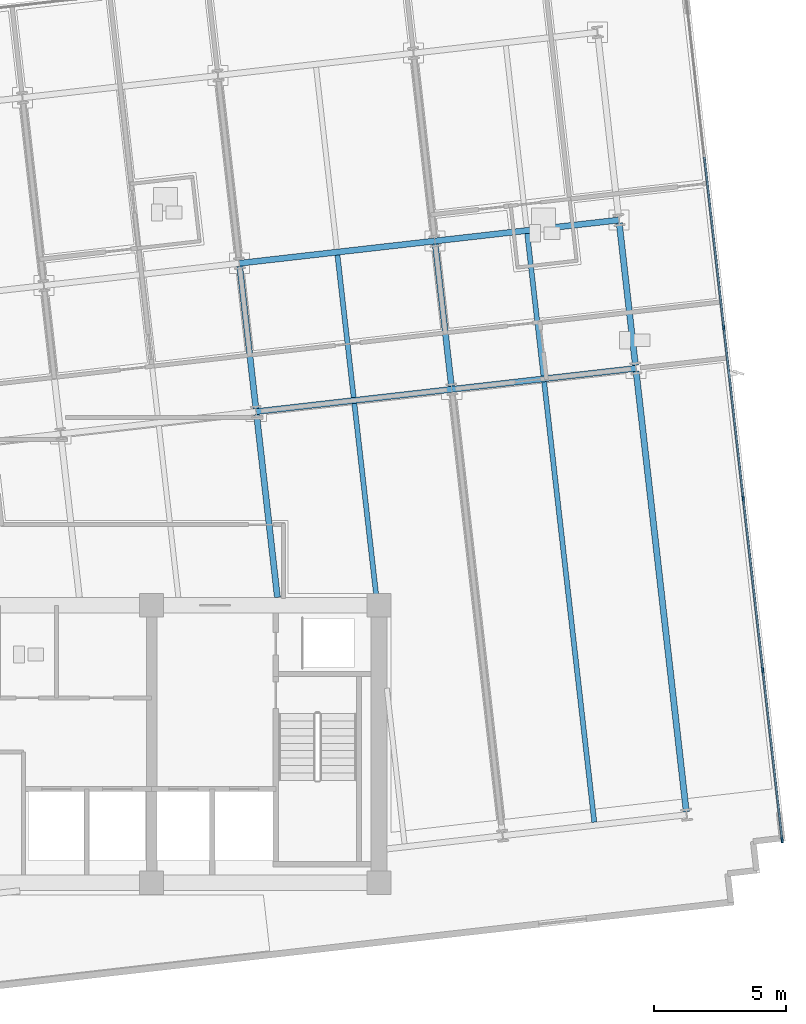
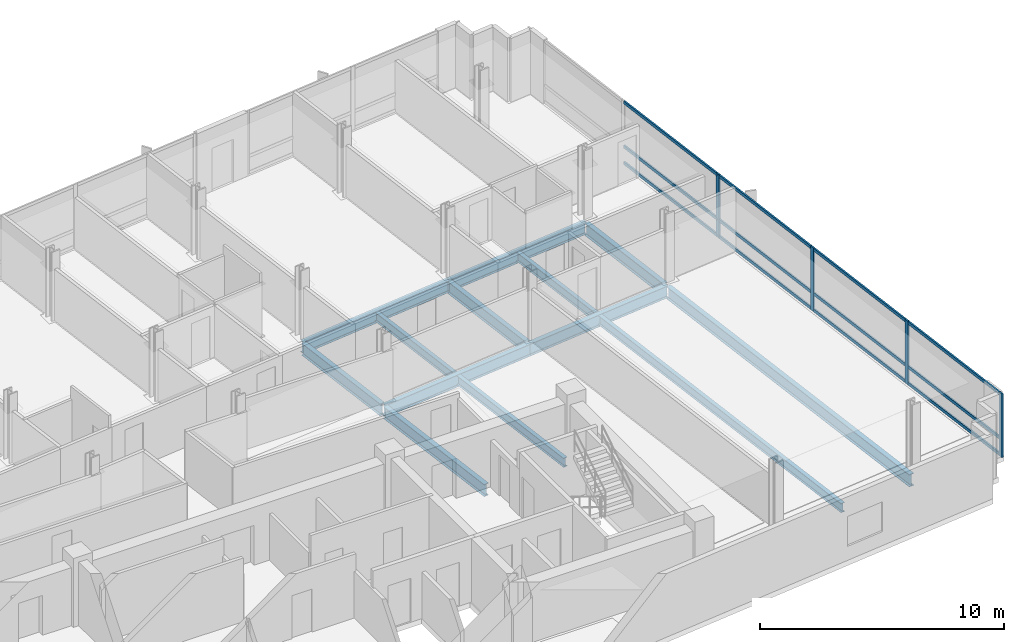
# One storey, part 4 of 16: 16 members, 13 beams, 1 element without a shape of its own.
"""IFC4 building model written with IfcOpenShell, lengths in metres."""

from ifc_helpers import new_model, si_unit, direction, frame, origin, origin_2d, place, context, subcontext, project, spatial, rectangle, i_section, extrude, material, material_profile, profile_set, type_object, element, aggregate, save


model = new_model("IFC4")

# Units and contexts
model_context = context("Model", 3, precision=1e-05, world=origin(), true_north=direction((0.0, 1.0)))
body_context = subcontext(model_context, "Body", "Model", "MODEL_VIEW")
ifc_project = project(units=[si_unit("LENGTHUNIT", "METRE"), si_unit("AREAUNIT", "SQUARE_METRE"), si_unit("VOLUMEUNIT", "CUBIC_METRE"), si_unit("PLANEANGLEUNIT", "RADIAN"), si_unit("MASSUNIT", "GRAM", prefix="KILO")], contexts=[model_context])

# Site, building, storey
site_placement = place(None, origin())
site = spatial("IfcSite", under=ifc_project, at=site_placement, CompositionType="ELEMENT")
building_placement = place(site_placement, origin())
building = spatial("IfcBuilding", under=site, at=building_placement, Name="Solmavex Isthmus Hotel", CompositionType="ELEMENT")
storey_placement = place(building_placement, frame((0.0, 0.0, 205.5)))
storey = spatial("IfcBuildingStorey", under=building, at=storey_placement, Name="L55", CompositionType="ELEMENT", Elevation=205.5)

# Beams
ifc_material_1 = material(Name="Steel ASTM A992 Grade 50", Category="steel")
ifc_material_profile_1 = material_profile(ifc_material_1, i_section(OverallWidth=0.1904296875, OverallDepth=0.456787109375, WebThickness=0.009033203125, FlangeThickness=0.014404296875, FilletRadius=0.0126953125, at=origin_2d()), Name="W18X50")
ifc_profile_set_1 = profile_set([ifc_material_profile_1], Name="Steel ASTM A992 Grade 50")
beam_type_1 = type_object("IfcBeamType", Name="BM-BJ-W18X50", PredefinedType="JOIST", material=ifc_profile_set_1)
beam_1_placement = place(storey_placement, frame((15.908447265625, -2.199951171875, -0.488525390625), z_axis=(-0.113224925382, 0.99356938171, 0.0), x_axis=(-0.99356938171, -0.113224925382, 0.0)))
element("IfcBeam", 1, at=beam_1_placement, inside=storey, type_object=beam_type_1, Name="Secondary Floor Joist L55-J16", PredefinedType="JOIST", context=body_context, shape_type="SweptSolid", body=[
    extrude(i_section(OverallWidth=0.1904296875, OverallDepth=0.456787109375, WebThickness=0.009033203125, FlangeThickness=0.014404296875, FilletRadius=0.0126953125, at=origin_2d()), origin(), (0.0, 0.0, 1.0), 7.38525390625),
])
beam_2_placement = place(storey_placement, frame((15.046630859375, 5.364013671875, -0.488525390625), z_axis=(-0.113189626161, 0.993573403695, 0.0), x_axis=(-0.993573403695, -0.113189626161, 0.0)))
element("IfcBeam", 2, at=beam_2_placement, inside=storey, type_object=beam_type_1, Name="Secondary Floor Joist L55-J17", PredefinedType="JOIST", context=body_context, shape_type="SweptSolid", body=[
    extrude(i_section(OverallWidth=0.1904296875, OverallDepth=0.456787109375, WebThickness=0.009033203125, FlangeThickness=0.014404296875, FilletRadius=0.0126953125, at=origin_2d()), origin(), (0.0, 0.0, 1.0), 5.42041015625),
])
beam_3_placement = place(storey_placement, frame((24.1513671875, -10.707275390625, -0.488525390625), z_axis=(-0.113198426291, 0.993572401129, 0.0), x_axis=(-0.993572401129, -0.113198426291, 0.0)))
element("IfcBeam", 3, at=beam_3_placement, inside=storey, type_object=beam_type_1, Name="Secondary Floor Joist L55-J19", PredefinedType="JOIST", context=body_context, shape_type="SweptSolid", body=[
    extrude(i_section(OverallWidth=0.1904296875, OverallDepth=0.456787109375, WebThickness=0.009033203125, FlangeThickness=0.014404296875, FilletRadius=0.0126953125, at=origin_2d()), origin(), (0.0, 0.0, 1.0), 16.77099609375),
])
beam_4_placement = place(storey_placement, frame((22.22705078125, 6.18212890625, -0.488525390625), z_axis=(-0.113189626161, 0.993573403695, 0.0), x_axis=(-0.993573403695, -0.113189626161, 0.0)))
element("IfcBeam", 4, at=beam_4_placement, inside=storey, type_object=beam_type_1, Name="Secondary Floor Joist L55-J20", PredefinedType="JOIST", context=body_context, shape_type="SweptSolid", body=[
    extrude(i_section(OverallWidth=0.1904296875, OverallDepth=0.456787109375, WebThickness=0.009033203125, FlangeThickness=0.014404296875, FilletRadius=0.0126953125, at=origin_2d()), origin(), (0.0, 0.0, 1.0), 5.42041015625),
])
ifc_material_profile_2 = material_profile(ifc_material_1, i_section(OverallWidth=0.227783203125, OverallDepth=0.602783203125, WebThickness=0.010498046875, FlangeThickness=0.014892578125, FilletRadius=0.01513671875, at=origin_2d()), Name="W24X68")
ifc_profile_set_2 = profile_set([ifc_material_profile_2], Name="Steel ASTM A992 Grade 50")
beam_type_2 = type_object("IfcBeamType", Name="BM-BM-W24X68", PredefinedType="BEAM", material=ifc_profile_set_2)
beam_5_placement = place(storey_placement, frame((11.3603515625, 4.829345703125, -0.561279296875), z_axis=(0.9935703463, 0.113216460607, 0.0), x_axis=(-0.113216460607, 0.9935703463, 0.0)))
element("IfcBeam", 5, at=beam_5_placement, inside=storey, type_object=beam_type_2, Name="Floor Girder L55-UG10", PredefinedType="BEAM", context=body_context, shape_type="SweptSolid", body=[
    extrude(i_section(OverallWidth=0.227783203125, OverallDepth=0.602783203125, WebThickness=0.010498046875, FlangeThickness=0.014892578125, FilletRadius=0.01513671875, at=origin_2d()), origin(), (0.0, 0.0, 1.0), 7.446044921875),
])
beam_6_placement = place(storey_placement, frame((18.758544921875, 5.67236328125, -0.561279296875), z_axis=(0.99357359356, 0.113187959519, 0.0), x_axis=(-0.113187959519, 0.99357359356, 0.0)))
element("IfcBeam", 6, at=beam_6_placement, inside=storey, type_object=beam_type_2, Name="Floor Girder L55-UG11", PredefinedType="BEAM", context=body_context, shape_type="SweptSolid", body=[
    extrude(i_section(OverallWidth=0.227783203125, OverallDepth=0.602783203125, WebThickness=0.010498046875, FlangeThickness=0.014892578125, FilletRadius=0.01513671875, at=origin_2d()), origin(), (0.0, 0.0, 1.0), 7.0078125),
])
beam_7_placement = place(storey_placement, frame((10.720947265625, 10.441162109375, -0.561279296875), z_axis=(0.993574034044, 0.113184092846, 0.0), x_axis=(-0.113184092846, 0.993574034044, 0.0)))
element("IfcBeam", 7, at=beam_7_placement, inside=storey, type_object=beam_type_2, Name="Floor Girder L55-UG16", PredefinedType="BEAM", context=body_context, shape_type="SweptSolid", body=[
    extrude(i_section(OverallWidth=0.227783203125, OverallDepth=0.602783203125, WebThickness=0.010498046875, FlangeThickness=0.014892578125, FilletRadius=0.01513671875, at=origin_2d()), origin(), (0.0, 0.0, 1.0), 7.446044921875),
])
beam_8_placement = place(storey_placement, frame((18.119140625, 11.283935546875, -0.561279296875), z_axis=(0.993569675103, 0.113222350774, 0.0), x_axis=(-0.113222350774, 0.993569675103, 0.0)))
element("IfcBeam", 8, at=beam_8_placement, inside=storey, type_object=beam_type_2, Name="Floor Girder L55-UG17", PredefinedType="BEAM", context=body_context, shape_type="SweptSolid", body=[
    extrude(i_section(OverallWidth=0.227783203125, OverallDepth=0.602783203125, WebThickness=0.010498046875, FlangeThickness=0.014892578125, FilletRadius=0.01513671875, at=origin_2d()), origin(), (0.0, 0.0, 1.0), 7.008056640625),
])
beam_9_placement = place(storey_placement, frame((12.161376953125, -2.199951171875, -0.561279296875), z_axis=(-0.113214229187, 0.993570600566, 0.0), x_axis=(-0.993570600566, -0.113214229187, 0.0)))
element("IfcBeam", 9, at=beam_9_placement, inside=storey, type_object=beam_type_2, Name="Floor Beam L55-VG37", PredefinedType="BEAM", context=body_context, shape_type="SweptSolid", body=[
    extrude(i_section(OverallWidth=0.227783203125, OverallDepth=0.602783203125, WebThickness=0.010498046875, FlangeThickness=0.014892578125, FilletRadius=0.01513671875, at=origin_2d()), origin(), (0.0, 0.0, 1.0), 6.9609375),
])
beam_10_placement = place(storey_placement, frame((11.347412109375, 4.942626953125, -0.561279296875), z_axis=(-0.113194691868, 0.993572826587, 0.0), x_axis=(-0.993572826587, -0.113194691868, 0.0)))
element("IfcBeam", 10, at=beam_10_placement, inside=storey, type_object=beam_type_2, Name="Floor Beam L55-VG38", PredefinedType="BEAM", context=body_context, shape_type="SweptSolid", body=[
    extrude(i_section(OverallWidth=0.227783203125, OverallDepth=0.602783203125, WebThickness=0.010498046875, FlangeThickness=0.014892578125, FilletRadius=0.01513671875, at=origin_2d()), origin(), (0.0, 0.0, 1.0), 5.420166015625),
])
beam_11_placement = place(storey_placement, frame((18.74560546875, 5.785400390625, -0.561279296875), z_axis=(-0.113189626161, 0.993573403695, 0.0), x_axis=(-0.993573403695, -0.113189626161, 0.0)))
element("IfcBeam", 11, at=beam_11_placement, inside=storey, type_object=beam_type_2, Name="Floor Beam L55-VG41", PredefinedType="BEAM", context=body_context, shape_type="SweptSolid", body=[
    extrude(i_section(OverallWidth=0.227783203125, OverallDepth=0.602783203125, WebThickness=0.010498046875, FlangeThickness=0.014892578125, FilletRadius=0.01513671875, at=origin_2d()), origin(), (0.0, 0.0, 1.0), 5.42041015625),
])
ifc_material_profile_3 = material_profile(ifc_material_1, i_section(OverallWidth=0.230224609375, OverallDepth=0.617431640625, WebThickness=0.01318359375, FlangeThickness=0.022216796875, FilletRadius=0.01513671875, at=origin_2d()), Name="W24X94")
ifc_profile_set_3 = profile_set([ifc_material_profile_3], Name="Steel ASTM A992 Grade 50")
beam_type_3 = type_object("IfcBeamType", Name="BM-SP-W24X94", PredefinedType="SPANDREL", material=ifc_profile_set_3)
beam_12_placement = place(storey_placement, frame((27.6328125, -10.310546875, -0.56884765625), z_axis=(-0.113198426291, 0.993572401129, 0.0), x_axis=(-0.993572401129, -0.113198426291, 0.0)))
element("IfcBeam", 12, at=beam_12_placement, inside=storey, type_object=beam_type_3, Name="Floor Beam L55-VG43", PredefinedType="SPANDREL", context=body_context, shape_type="SweptSolid", body=[
    extrude(i_section(OverallWidth=0.230224609375, OverallDepth=0.617431640625, WebThickness=0.01318359375, FlangeThickness=0.022216796875, FilletRadius=0.01513671875, at=origin_2d()), origin(), (0.0, 0.0, 1.0), 16.77099609375),
])
beam_13_placement = place(storey_placement, frame((25.70849609375, 6.578857421875, -0.56884765625), z_axis=(-0.113194691868, 0.993572826587, 0.0), x_axis=(-0.993572826587, -0.113194691868, 0.0)))
element("IfcBeam", 13, at=beam_13_placement, inside=storey, type_object=beam_type_3, Name="Floor Beam L55-VG44", PredefinedType="SPANDREL", context=body_context, shape_type="SweptSolid", body=[
    extrude(i_section(OverallWidth=0.230224609375, OverallDepth=0.617431640625, WebThickness=0.01318359375, FlangeThickness=0.022216796875, FilletRadius=0.01513671875, at=origin_2d()), origin(), (0.0, 0.0, 1.0), 5.420166015625),
])

# Curtain wall, members
ifc_material_2 = material(Name="Aluminium alloy 6063-T6", Category="aluminium")
curtain_wall_type = type_object("IfcCurtainWallType", Name="CW-SYS-04", PredefinedType="NOTDEFINED", material=ifc_material_2)
curtain_wall_placement = place(storey_placement, origin())
curtain_wall = element("IfcCurtainWall", 14, at=curtain_wall_placement, inside=storey, type_object=curtain_wall_type, Name="Stick Curtain Wall CWL-L55-E1", PredefinedType="NOTDEFINED")
ifc_material_profile_4 = material_profile(ifc_material_2, rectangle(XDim=0.074951171875, YDim=0.199951171875, at=origin_2d()), Name="CWM-75X200")
ifc_profile_set_4 = profile_set([ifc_material_profile_4], Name="Aluminium alloy 6063-T6")
member_type_1 = type_object("IfcMemberType", Name="CW-SYS-04-MUL", PredefinedType="MULLION", material=ifc_profile_set_4)
member_1_placement = place(storey_placement, frame((31.2578125, -11.384765625, 0.0), z_axis=(0.0, 0.0, 1.0), x_axis=(-0.993571836648, -0.11320338078, 0.0)))
member_1 = element("IfcMember", 15, at=member_1_placement, type_object=member_type_1, Name="CW-04 mullion 1", PredefinedType="MULLION", context=body_context, shape_type="SweptSolid", body=[
    extrude(rectangle(XDim=0.074951171875, YDim=0.199951171875, at=origin_2d()), origin(), (0.0, 0.0, 1.0), 3.18994140625),
])
member_2_placement = place(storey_placement, frame((30.52392578125, -4.944091796875, 0.0), z_axis=(0.0, 0.0, 1.0), x_axis=(-0.993571836648, -0.11320338078, 0.0)))
member_2 = element("IfcMember", 16, at=member_2_placement, type_object=member_type_1, Name="CW-04 mullion 2", PredefinedType="MULLION", context=body_context, shape_type="SweptSolid", body=[
    extrude(rectangle(XDim=0.074951171875, YDim=0.199951171875, at=origin_2d()), origin(), (0.0, 0.0, 1.0), 3.18994140625),
])
member_3_placement = place(storey_placement, frame((29.785888671875, 1.533935546875, 0.0), z_axis=(0.0, 0.0, 1.0), x_axis=(-0.993571836648, -0.11320338078, 0.0)))
member_3 = element("IfcMember", 17, at=member_3_placement, type_object=member_type_1, Name="CW-04 mullion 3", PredefinedType="MULLION", context=body_context, shape_type="SweptSolid", body=[
    extrude(rectangle(XDim=0.074951171875, YDim=0.199951171875, at=origin_2d()), origin(), (0.0, 0.0, 1.0), 3.18994140625),
])
member_4_placement = place(storey_placement, frame((29.0478515625, 8.01220703125, 0.0), z_axis=(0.0, 0.0, 1.0), x_axis=(-0.993571836648, -0.11320338078, 0.0)))
member_4 = element("IfcMember", 18, at=member_4_placement, type_object=member_type_1, Name="CW-04 mullion 4", PredefinedType="MULLION", context=body_context, shape_type="SweptSolid", body=[
    extrude(rectangle(XDim=0.074951171875, YDim=0.199951171875, at=origin_2d()), origin(), (0.0, 0.0, 1.0), 3.18994140625),
])
ifc_material_profile_5 = material_profile(ifc_material_2, rectangle(XDim=0.074951171875, YDim=0.14990234375, at=origin_2d()), Name="CWT-75X150")
ifc_profile_set_5 = profile_set([ifc_material_profile_5], Name="Aluminium alloy 6063-T6")
member_type_2 = type_object("IfcMemberType", Name="CW-SYS-04-TRN", PredefinedType="USERDEFINED", material=ifc_profile_set_5)
member_5_placement = place(storey_placement, frame((31.253662109375, -11.34765625, 0.074951171875), z_axis=(-0.113199495412, 0.993572279323, 0.0), x_axis=(-0.993572279323, -0.113199495412, 0.0)))
member_5 = element("IfcMember", 19, at=member_5_placement, type_object=member_type_2, Name="CW-04 transom 1.1", ObjectType="TRANSOM", PredefinedType="USERDEFINED", context=body_context, shape_type="SweptSolid", body=[
    extrude(rectangle(XDim=0.074951171875, YDim=0.14990234375, at=origin_2d()), origin(), (0.0, 0.0, 1.0), 6.40771484375),
])
member_6_placement = place(storey_placement, frame((31.253662109375, -11.34765625, 0.89990234375), z_axis=(-0.113199495412, 0.993572279323, 0.0), x_axis=(-0.993572279323, -0.113199495412, 0.0)))
member_6 = element("IfcMember", 20, at=member_6_placement, type_object=member_type_2, Name="CW-04 transom 1.2", ObjectType="TRANSOM", PredefinedType="USERDEFINED", context=body_context, shape_type="SweptSolid", body=[
    extrude(rectangle(XDim=0.074951171875, YDim=0.14990234375, at=origin_2d()), origin(), (0.0, 0.0, 1.0), 6.40771484375),
])
member_7_placement = place(storey_placement, frame((31.253662109375, -11.34765625, 3.114990234375), z_axis=(-0.113199495412, 0.993572279323, 0.0), x_axis=(-0.993572279323, -0.113199495412, 0.0)))
member_7 = element("IfcMember", 21, at=member_7_placement, type_object=member_type_2, Name="CW-04 transom 1.3", ObjectType="TRANSOM", PredefinedType="USERDEFINED", context=body_context, shape_type="SweptSolid", body=[
    extrude(rectangle(XDim=0.074951171875, YDim=0.14990234375, at=origin_2d()), origin(), (0.0, 0.0, 1.0), 6.40771484375),
])
member_8_placement = place(storey_placement, frame((30.519775390625, -4.90673828125, 0.074951171875), z_axis=(-0.113225012477, 0.993569371785, 0.0), x_axis=(-0.993569371785, -0.113225012477, 0.0)))
member_8 = element("IfcMember", 22, at=member_8_placement, type_object=member_type_2, Name="CW-04 transom 2.1", ObjectType="TRANSOM", PredefinedType="USERDEFINED", context=body_context, shape_type="SweptSolid", body=[
    extrude(rectangle(XDim=0.074951171875, YDim=0.14990234375, at=origin_2d()), origin(), (0.0, 0.0, 1.0), 6.445068359375),
])
member_9_placement = place(storey_placement, frame((30.519775390625, -4.90673828125, 0.89990234375), z_axis=(-0.113225012477, 0.993569371785, 0.0), x_axis=(-0.993569371785, -0.113225012477, 0.0)))
member_9 = element("IfcMember", 23, at=member_9_placement, type_object=member_type_2, Name="CW-04 transom 2.2", ObjectType="TRANSOM", PredefinedType="USERDEFINED", context=body_context, shape_type="SweptSolid", body=[
    extrude(rectangle(XDim=0.074951171875, YDim=0.14990234375, at=origin_2d()), origin(), (0.0, 0.0, 1.0), 6.445068359375),
])
member_10_placement = place(storey_placement, frame((30.519775390625, -4.90673828125, 3.114990234375), z_axis=(-0.113225012477, 0.993569371785, 0.0), x_axis=(-0.993569371785, -0.113225012477, 0.0)))
member_10 = element("IfcMember", 24, at=member_10_placement, type_object=member_type_2, Name="CW-04 transom 2.3", ObjectType="TRANSOM", PredefinedType="USERDEFINED", context=body_context, shape_type="SweptSolid", body=[
    extrude(rectangle(XDim=0.074951171875, YDim=0.14990234375, at=origin_2d()), origin(), (0.0, 0.0, 1.0), 6.445068359375),
])
member_11_placement = place(storey_placement, frame((29.78173828125, 1.5712890625, 0.074951171875), z_axis=(-0.113225012477, 0.993569371785, 0.0), x_axis=(-0.993569371785, -0.113225012477, 0.0)))
member_11 = element("IfcMember", 25, at=member_11_placement, type_object=member_type_2, Name="CW-04 transom 3.1", ObjectType="TRANSOM", PredefinedType="USERDEFINED", context=body_context, shape_type="SweptSolid", body=[
    extrude(rectangle(XDim=0.074951171875, YDim=0.14990234375, at=origin_2d()), origin(), (0.0, 0.0, 1.0), 6.445068359375),
])
member_12_placement = place(storey_placement, frame((29.78173828125, 1.5712890625, 0.89990234375), z_axis=(-0.113225012477, 0.993569371785, 0.0), x_axis=(-0.993569371785, -0.113225012477, 0.0)))
member_12 = element("IfcMember", 26, at=member_12_placement, type_object=member_type_2, Name="CW-04 transom 3.2", ObjectType="TRANSOM", PredefinedType="USERDEFINED", context=body_context, shape_type="SweptSolid", body=[
    extrude(rectangle(XDim=0.074951171875, YDim=0.14990234375, at=origin_2d()), origin(), (0.0, 0.0, 1.0), 6.445068359375),
])
member_13_placement = place(storey_placement, frame((29.78173828125, 1.5712890625, 3.114990234375), z_axis=(-0.113225012477, 0.993569371785, 0.0), x_axis=(-0.993569371785, -0.113225012477, 0.0)))
member_13 = element("IfcMember", 27, at=member_13_placement, type_object=member_type_2, Name="CW-04 transom 3.3", ObjectType="TRANSOM", PredefinedType="USERDEFINED", context=body_context, shape_type="SweptSolid", body=[
    extrude(rectangle(XDim=0.074951171875, YDim=0.14990234375, at=origin_2d()), origin(), (0.0, 0.0, 1.0), 6.445068359375),
])
member_14_placement = place(storey_placement, frame((29.04345703125, 8.04931640625, 0.074951171875), z_axis=(-0.113187617296, 0.993573632546, 0.0), x_axis=(-0.993573632546, -0.113187617296, 0.0)))
member_14 = element("IfcMember", 28, at=member_14_placement, type_object=member_type_2, Name="CW-04 transom 4.1", ObjectType="TRANSOM", PredefinedType="USERDEFINED", context=body_context, shape_type="SweptSolid", body=[
    extrude(rectangle(XDim=0.074951171875, YDim=0.14990234375, at=origin_2d()), origin(), (0.0, 0.0, 1.0), 6.445068359375),
])
member_15_placement = place(storey_placement, frame((29.04345703125, 8.04931640625, 0.89990234375), z_axis=(-0.113187617296, 0.993573632546, 0.0), x_axis=(-0.993573632546, -0.113187617296, 0.0)))
member_15 = element("IfcMember", 29, at=member_15_placement, type_object=member_type_2, Name="CW-04 transom 4.2", ObjectType="TRANSOM", PredefinedType="USERDEFINED", context=body_context, shape_type="SweptSolid", body=[
    extrude(rectangle(XDim=0.074951171875, YDim=0.14990234375, at=origin_2d()), origin(), (0.0, 0.0, 1.0), 6.445068359375),
])
member_16_placement = place(storey_placement, frame((29.04345703125, 8.04931640625, 3.114990234375), z_axis=(-0.113187617296, 0.993573632546, 0.0), x_axis=(-0.993573632546, -0.113187617296, 0.0)))
member_16 = element("IfcMember", 30, at=member_16_placement, type_object=member_type_2, Name="CW-04 transom 4.3", ObjectType="TRANSOM", PredefinedType="USERDEFINED", context=body_context, shape_type="SweptSolid", body=[
    extrude(rectangle(XDim=0.074951171875, YDim=0.14990234375, at=origin_2d()), origin(), (0.0, 0.0, 1.0), 6.445068359375),
])
aggregate(curtain_wall, [member_1, member_2, member_3, member_4, member_5, member_6, member_7, member_8, member_9, member_10, member_11, member_12, member_13, member_14, member_15, member_16])

save(model, "model.ifc")
